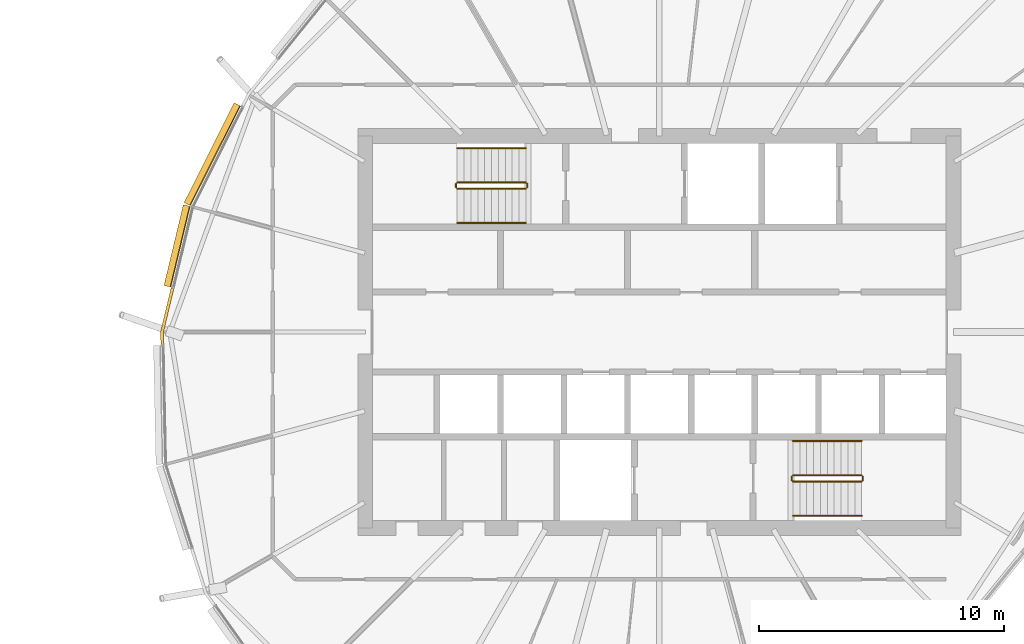
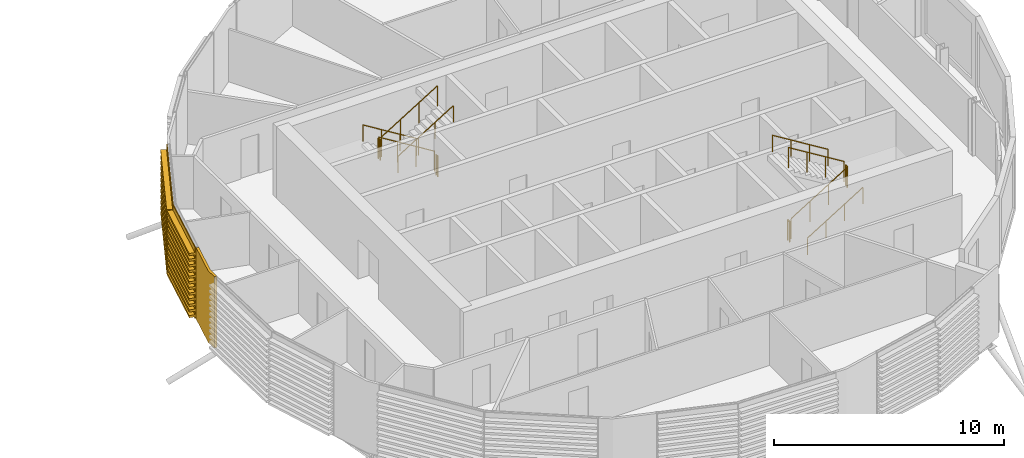
# One storey, part 34 of 35: 12 railings, 3 coverings.
"""IFC4 building model written with IfcOpenShell, lengths in metres."""

import ifcopenshell
import ifcopenshell.guid

model = None  # the IFC model being written
_history = None  # IfcOwnerHistory: only IFC2X3 demands one
_inside = {}  # id of a spatial element -> (the spatial element, [elements in it])
_under = {}  # id of a project, library or spatial element -> (it, [spatial elements below it])
_declared = {}  # id of a project -> (the project, [libraries it declares])
_typed = {}  # id of a type object -> (the type object, [elements of that type])
_made_of = {}  # id of a material, layer set ... -> (it, [elements and type objects made of it])


def new_model(schema):
    """Start an empty IFC model of exactly this schema.

    Asked for "IFC4X3", IfcOpenShell would pick the latest addendum, in which some entities
    have other attributes; the version numbers below select the first issue.
    IFC2X3 requires an IfcOwnerHistory on every rooted entity: one is made here for all.
    """
    global model, _history
    if schema == "IFC4X3":
        model = ifcopenshell.file(schema_version=(4, 3, 0, 0))
    else:
        model = ifcopenshell.file(schema=schema)
    _inside.clear()
    _under.clear()
    _declared.clear()
    _typed.clear()
    _made_of.clear()
    _history = None
    if model.schema == "IFC2X3":
        org = make("IfcOrganization", Name="unknown")
        user = make(
            "IfcPersonAndOrganization",
            ThePerson=make("IfcPerson", FamilyName="unknown"),
            TheOrganization=org,
        )
        app = make(
            "IfcApplication",
            ApplicationDeveloper=org,
            Version="unknown",
            ApplicationFullName="unknown",
            ApplicationIdentifier="unknown",
        )
        _history = make(
            "IfcOwnerHistory",
            OwningUser=user,
            OwningApplication=app,
            ChangeAction="ADDED",
            CreationDate=0,
        )
    return model


def make(cls, **values):
    """One entity of the class cls with the attributes given. An attribute that is None is left unset."""
    return model.create_entity(
        cls, **{name: value for name, value in values.items() if value is not None}
    )


def rooted(cls, **values):
    """An entity with a GlobalId (a new one), such as an element, a storey or a relation."""
    return make(cls, GlobalId=ifcopenshell.guid.new(), OwnerHistory=_history, **values)


def si_unit(unit_type, name, prefix=None):
    """IfcSIUnit, for example si_unit("LENGTHUNIT", "METRE", prefix="MILLI")."""
    return make("IfcSIUnit", UnitType=unit_type, Prefix=prefix, Name=name)


def assignment(units):
    """IfcUnitAssignment: the units of a project."""
    return None if units is None else make("IfcUnitAssignment", Units=units)


def point(xyz):
    """IfcCartesianPoint."""
    return None if xyz is None else make("IfcCartesianPoint", Coordinates=xyz)


def direction(xyz):
    """IfcDirection."""
    return None if xyz is None else make("IfcDirection", DirectionRatios=xyz)


def frame(location, z_axis=None, x_axis=None):
    """IfcAxis2Placement3D, a coordinate frame: its origin and axes. An axis left out is left unset."""
    return make(
        "IfcAxis2Placement3D",
        Location=point(location),
        Axis=direction(z_axis),
        RefDirection=direction(x_axis),
    )


def frame_2d(location, x_axis=None):
    """IfcAxis2Placement2D, a coordinate frame in the plane: its origin and x axis."""
    return make(
        "IfcAxis2Placement2D", Location=point(location), RefDirection=direction(x_axis)
    )


def origin():
    """The frame at (0, 0, 0) with its axes left unset."""
    return frame((0.0, 0.0, 0.0))


def origin_2d():
    """The frame at (0, 0) in the plane with its x axis left unset."""
    return frame_2d((0.0, 0.0))


def place(relative_to, where):
    """IfcLocalPlacement: puts the frame where relative to a parent placement (None: the world)."""
    return make(
        "IfcLocalPlacement", PlacementRelTo=relative_to, RelativePlacement=where
    )


def context(
    kind, dimensions, precision=None, world=None, true_north=None, identifier=None
):
    """IfcGeometricRepresentationContext, for example the 3D "Model" context."""
    return make(
        "IfcGeometricRepresentationContext",
        ContextIdentifier=identifier,
        ContextType=kind,
        CoordinateSpaceDimension=dimensions,
        Precision=precision,
        WorldCoordinateSystem=world,
        TrueNorth=true_north,
    )


def subcontext(parent, identifier, kind, view, scale=None):
    """IfcGeometricRepresentationSubContext, for example "Body" below "Model"."""
    return make(
        "IfcGeometricRepresentationSubContext",
        ContextIdentifier=identifier,
        ContextType=kind,
        ParentContext=parent,
        TargetScale=scale,
        TargetView=view,
    )


def project(units=None, contexts=None):
    """IfcProject with its units and contexts."""
    return rooted(
        "IfcProject",
        Name="project",
        RepresentationContexts=contexts,
        UnitsInContext=assignment(units),
    )


def spatial(cls, under=None, at=None, **own):
    """A site, building, storey or space (cls), placed at a placement, below another one or the project."""
    s = rooted(cls, ObjectPlacement=at, **own)
    if under is not None:
        _under.setdefault(under.id(), (under, []))[1].append(s)
    return s


def polyline(points):
    """IfcPolyline through the points."""
    return make("IfcPolyline", Points=[point(p) for p in points])


def profile(cls, at=None, kind="AREA", **sizes):
    """A parametric profile (cls). Its sizes go by their IFC names, for example OverallWidth=200.0."""
    return make(cls, ProfileType=kind, Position=at, **sizes)


def circle(**sizes):
    """IfcCircleProfileDef."""
    return profile("IfcCircleProfileDef", **sizes)


def outline(outer, holes=None, kind="AREA"):
    """IfcArbitraryClosedProfileDef: a profile drawn as a closed curve; with holes, ...WithVoids."""
    if holes is None:
        return make("IfcArbitraryClosedProfileDef", ProfileType=kind, OuterCurve=outer)
    return make(
        "IfcArbitraryProfileDefWithVoids",
        ProfileType=kind,
        OuterCurve=outer,
        InnerCurves=holes,
    )


def extrude(swept, where, along, depth):
    """IfcExtrudedAreaSolid: the profile swept, set in the frame where, extruded along a direction by depth."""
    return make(
        "IfcExtrudedAreaSolid",
        SweptArea=swept,
        Position=where,
        ExtrudedDirection=direction(along),
        Depth=depth,
    )


def shape(context_of_items, identifier, shape_type, items):
    """IfcShapeRepresentation: the items that make up one representation, for example the "Body"."""
    return make(
        "IfcShapeRepresentation",
        ContextOfItems=context_of_items,
        RepresentationIdentifier=identifier,
        RepresentationType=shape_type,
        Items=items,
    )


def material(Name=None, Category=None):
    """IfcMaterial."""
    return make("IfcMaterial", Name=Name, Category=Category)


def layer(
    of_material, thickness, ventilated=None, Name=None, Category=None, Priority=None
):
    """IfcMaterialLayer: one layer of a wall or slab, of a material (None: an air gap)."""
    return make(
        "IfcMaterialLayer",
        Material=of_material,
        LayerThickness=thickness,
        IsVentilated=ventilated,
        Name=Name,
        Category=Category,
        Priority=Priority,
    )


def layer_set(layers, Name=None):
    """IfcMaterialLayerSet."""
    return make("IfcMaterialLayerSet", MaterialLayers=layers, LayerSetName=Name)


def material_profile(
    of_material, cross_section, Name=None, Category=None, Priority=None
):
    """IfcMaterialProfile: a cross section and its material."""
    return make(
        "IfcMaterialProfile",
        Name=Name,
        Material=of_material,
        Profile=cross_section,
        Priority=Priority,
        Category=Category,
    )


def profile_set(profiles, Name=None, composite=None):
    """IfcMaterialProfileSet."""
    return make(
        "IfcMaterialProfileSet",
        Name=Name,
        MaterialProfiles=profiles,
        CompositeProfile=composite,
    )


def made_of(thing, what):
    """Note that an element or type object is made of a material, layer set ...; save() writes the relation."""
    if what is not None:
        _made_of.setdefault(what.id(), (what, []))[1].append(thing)
    return thing


def type_object(cls, material=None, **own):
    """A type object (cls), such as IfcWallType, which elements share."""
    return made_of(rooted(cls, **own), material)


def element(
    cls,
    number,
    at=None,
    inside=None,
    cuts=None,
    type_object=None,
    material=None,
    context=None,
    identifier="Body",
    shape_type=None,
    held_by="IfcProductDefinitionShape",
    body=None,
    shapes=None,
    **own,
):
    """One element of the class cls, such as IfcWall. Its Tag is "e" and its number.

    at: its placement. inside: the storey or other place that contains it. cuts: it is an
    opening in that element (IfcRelVoidsElement). A single representation is given by context,
    identifier, shape_type and body (its items); several are given by shapes. held_by: the class
    of the entity that holds the representations. save() writes the other relations.
    """
    e = rooted(cls, Tag="e%d" % number, ObjectPlacement=at, **own)
    if body is not None:
        shapes = [shape(context, identifier, shape_type, body)]
    if shapes is not None:
        e.Representation = make(held_by, Representations=shapes)
    if inside is not None:
        _inside.setdefault(inside.id(), (inside, []))[1].append(e)
    if cuts is not None:
        rooted(
            "IfcRelVoidsElement", RelatingBuildingElement=cuts, RelatedOpeningElement=e
        )
    if type_object is not None:
        _typed.setdefault(type_object.id(), (type_object, []))[1].append(e)
    return made_of(e, material)


def aggregate(whole, parts):
    """IfcRelAggregates: a whole, such as a stair, and the parts it consists of."""
    return rooted("IfcRelAggregates", RelatingObject=whole, RelatedObjects=parts)


def save(model, path):
    """Write the relations noted so far, then the file.

    IfcRelAggregates (storeys below a building ...), IfcRelContainedInSpatialStructure (elements
    in a storey), IfcRelDefinesByType, IfcRelAssociatesMaterial and IfcRelDeclares: one each for
    every whole, place, type object, material and project.
    """
    for whole, parts in _under.values():
        aggregate(whole, parts)
    for where, things in _inside.values():
        rooted(
            "IfcRelContainedInSpatialStructure",
            RelatedElements=things,
            RelatingStructure=where,
        )
    for kind, things in _typed.values():
        rooted("IfcRelDefinesByType", RelatedObjects=things, RelatingType=kind)
    for what, things in _made_of.values():
        rooted("IfcRelAssociatesMaterial", RelatedObjects=things, RelatingMaterial=what)
    for by, libraries in _declared.values():
        rooted("IfcRelDeclares", RelatingContext=by, RelatedDefinitions=libraries)
    model.write(path)


model = new_model("IFC4")

# Units and contexts
model_context = context("Model", 3, precision=1e-05, world=origin(), true_north=direction((0.0, 1.0)))
body_context = subcontext(model_context, "Body", "Model", "MODEL_VIEW")
ifc_project = project(units=[si_unit("LENGTHUNIT", "METRE"), si_unit("AREAUNIT", "SQUARE_METRE"), si_unit("VOLUMEUNIT", "CUBIC_METRE"), si_unit("PLANEANGLEUNIT", "RADIAN"), si_unit("MASSUNIT", "GRAM", prefix="KILO")], contexts=[model_context])

# Site, building, storey
site_placement = place(None, origin())
site = spatial("IfcSite", under=ifc_project, at=site_placement, CompositionType="ELEMENT")
building_placement = place(site_placement, origin())
building = spatial("IfcBuilding", under=site, at=building_placement, Name="Rimbun Link Towers", CompositionType="ELEMENT")
storey_placement = place(building_placement, frame((0.0, 0.0, 196.89990234375)))
storey = spatial("IfcBuildingStorey", under=building, at=storey_placement, Name="L48", CompositionType="ELEMENT", Elevation=196.89990234375)

# Covering
ifc_material_1 = material(Name="Terracotta", Category="masonry")
ifc_layer = layer(ifc_material_1, 0.1201171875)
ifc_layer_set = layer_set([ifc_layer], Name="LINK PIER terracotta cladding 120")
covering_type_1 = type_object("IfcCoveringType", Name="LINK PIER terracotta cladding 120", PredefinedType="CLADDING", material=ifc_layer_set)
covering_1_placement = place(storey_placement, origin())
element("IfcCovering", 1, at=covering_1_placement, inside=storey, type_object=covering_type_1, Name="LINK PIER cladding", PredefinedType="CLADDING", context=body_context, shape_type="SweptSolid", body=[
    extrude(outline(polyline([(11.52587890625, -0.519775390625), (11.514892578125, 0.0), (11.938232421875, 1.77001953125), (11.821533203125, 1.798095703125), (11.39453125, 0.012939453125), (11.40576171875, -0.5224609375), (11.52587890625, -0.519775390625)])), origin(), (0.0, 0.0, 1.0), 3.800048828125),
])

# Railings
ifc_material_2 = material(Name="Stainless steel grade 316", Category="steel")
railing_type_1 = type_object("IfcRailingType", Name="Stair guard", PredefinedType="GUARDRAIL", material=ifc_material_2)
railing_1_placement = place(storey_placement, frame((26.300048828125, 6.10009765625, 0.1728515625)))
element("IfcRailing", 2, at=railing_1_placement, inside=storey, type_object=railing_type_1, Name="L48 ST3 stair guard 1", PredefinedType="GUARDRAIL", context=body_context, shape_type="SweptSolid", body=[
    extrude(circle(Radius=0.02392578125, at=origin_2d()), frame((0.0, 0.0, 1.076171875), z_axis=(-0.851089632645, 0.0, 0.525020415988), x_axis=(0.0, -1.0, 0.0)), (0.0, 0.0, 1.0), 3.2900390625),
    extrude(circle(Radius=0.02099609375, at=origin_2d()), origin(), (0.0, 0.0, 1.0), 1.052001953125),
    extrude(circle(Radius=0.02099609375, at=origin_2d()), frame((-0.933349609375, 0.0, 0.57568359375)), (0.0, 0.0, 1.0), 1.052001953125),
    extrude(circle(Radius=0.02099609375, at=origin_2d()), frame((-1.86669921875, 0.0, 1.151611328125)), (0.0, 0.0, 1.0), 1.052001953125),
    extrude(circle(Radius=0.02099609375, at=origin_2d()), frame((-2.800048828125, 0.0, 1.727294921875)), (0.0, 0.0, 1.0), 1.052001953125),
])
railing_2_placement = place(storey_placement, frame((23.449951171875, 6.050048828125, 1.900146484375)))
element("IfcRailing", 3, at=railing_2_placement, inside=storey, type_object=railing_type_1, Name="L48 ST3 stair guard 2", PredefinedType="GUARDRAIL", context=body_context, shape_type="SweptSolid", body=[
    extrude(circle(Radius=0.02392578125, at=origin_2d()), frame((0.0, 0.0, 1.076171875), z_axis=(0.0, -1.0, 0.0), x_axis=(1.0, 0.0, 0.0)), (0.0, 0.0, 1.0), 0.150146484375),
    extrude(circle(Radius=0.02099609375, at=origin_2d()), origin(), (0.0, 0.0, 1.0), 1.052001953125),
    extrude(circle(Radius=0.02099609375, at=origin_2d()), frame((0.0, -0.150146484375, 0.0)), (0.0, 0.0, 1.0), 1.052001953125),
])
railing_3_placement = place(storey_placement, frame((23.5, 5.85009765625, 2.07275390625)))
element("IfcRailing", 4, at=railing_3_placement, inside=storey, type_object=railing_type_1, Name="L48 ST3 stair guard 3", PredefinedType="GUARDRAIL", context=body_context, shape_type="SweptSolid", body=[
    extrude(circle(Radius=0.02392578125, at=origin_2d()), frame((0.0, 0.0, 1.076171875), z_axis=(0.851089632645, 0.0, 0.525020415988), x_axis=(0.0, 1.0, 0.0)), (0.0, 0.0, 1.0), 3.2900390625),
    extrude(circle(Radius=0.02099609375, at=origin_2d()), origin(), (0.0, 0.0, 1.0), 1.052001953125),
    extrude(circle(Radius=0.02099609375, at=origin_2d()), frame((0.933349609375, 0.0, 0.57568359375)), (0.0, 0.0, 1.0), 1.052001953125),
    extrude(circle(Radius=0.02099609375, at=origin_2d()), frame((1.86669921875, 0.0, 1.151611328125)), (0.0, 0.0, 1.0), 1.052001953125),
    extrude(circle(Radius=0.02099609375, at=origin_2d()), frame((2.800048828125, 0.0, 1.727294921875)), (0.0, 0.0, 1.0), 1.052001953125),
])
railing_4_placement = place(storey_placement, frame((26.35009765625, 6.050048828125, 0.0)))
element("IfcRailing", 5, at=railing_4_placement, inside=storey, type_object=railing_type_1, Name="L48 ST3 stair guard 4", PredefinedType="GUARDRAIL", context=body_context, shape_type="SweptSolid", body=[
    extrude(circle(Radius=0.02392578125, at=origin_2d()), frame((0.0, 0.0, 1.076171875), z_axis=(0.0, -1.0, 0.0), x_axis=(1.0, 0.0, 0.0)), (0.0, 0.0, 1.0), 0.150146484375),
    extrude(circle(Radius=0.02099609375, at=origin_2d()), origin(), (0.0, 0.0, 1.0), 1.052001953125),
    extrude(circle(Radius=0.02099609375, at=origin_2d()), frame((0.0, -0.150146484375, 0.0)), (0.0, 0.0, 1.0), 1.052001953125),
])
railing_5_placement = place(storey_placement, frame((37.199951171875, -6.10009765625, 0.1728515625)))
element("IfcRailing", 6, at=railing_5_placement, inside=storey, type_object=railing_type_1, Name="L48 ST4 stair guard 1", PredefinedType="GUARDRAIL", context=body_context, shape_type="SweptSolid", body=[
    extrude(circle(Radius=0.02392578125, at=origin_2d()), frame((0.0, 0.0, 1.076171875), z_axis=(0.851089632645, 0.0, 0.525020415988), x_axis=(0.0, 1.0, 0.0)), (0.0, 0.0, 1.0), 3.2900390625),
    extrude(circle(Radius=0.02099609375, at=origin_2d()), origin(), (0.0, 0.0, 1.0), 1.052001953125),
    extrude(circle(Radius=0.02099609375, at=origin_2d()), frame((0.933349609375, 0.0, 0.57568359375)), (0.0, 0.0, 1.0), 1.052001953125),
    extrude(circle(Radius=0.02099609375, at=origin_2d()), frame((1.86669921875, 0.0, 1.151611328125)), (0.0, 0.0, 1.0), 1.052001953125),
    extrude(circle(Radius=0.02099609375, at=origin_2d()), frame((2.800048828125, 0.0, 1.727294921875)), (0.0, 0.0, 1.0), 1.052001953125),
])
railing_6_placement = place(storey_placement, frame((40.050048828125, -6.050048828125, 1.900146484375)))
element("IfcRailing", 7, at=railing_6_placement, inside=storey, type_object=railing_type_1, Name="L48 ST4 stair guard 2", PredefinedType="GUARDRAIL", context=body_context, shape_type="SweptSolid", body=[
    extrude(circle(Radius=0.02392578125, at=origin_2d()), frame((0.0, 0.0, 1.076171875), z_axis=(0.0, 1.0, 0.0), x_axis=(-1.0, 0.0, 0.0)), (0.0, 0.0, 1.0), 0.150146484375),
    extrude(circle(Radius=0.02099609375, at=origin_2d()), origin(), (0.0, 0.0, 1.0), 1.052001953125),
    extrude(circle(Radius=0.02099609375, at=origin_2d()), frame((0.0, 0.150146484375, 0.0)), (0.0, 0.0, 1.0), 1.052001953125),
])
railing_7_placement = place(storey_placement, frame((40.0, -5.85009765625, 2.07275390625)))
element("IfcRailing", 8, at=railing_7_placement, inside=storey, type_object=railing_type_1, Name="L48 ST4 stair guard 3", PredefinedType="GUARDRAIL", context=body_context, shape_type="SweptSolid", body=[
    extrude(circle(Radius=0.02392578125, at=origin_2d()), frame((0.0, 0.0, 1.076171875), z_axis=(-0.851089632645, 0.0, 0.525020415988), x_axis=(0.0, -1.0, 0.0)), (0.0, 0.0, 1.0), 3.2900390625),
    extrude(circle(Radius=0.02099609375, at=origin_2d()), origin(), (0.0, 0.0, 1.0), 1.052001953125),
    extrude(circle(Radius=0.02099609375, at=origin_2d()), frame((-0.933349609375, 0.0, 0.57568359375)), (0.0, 0.0, 1.0), 1.052001953125),
    extrude(circle(Radius=0.02099609375, at=origin_2d()), frame((-1.86669921875, 0.0, 1.151611328125)), (0.0, 0.0, 1.0), 1.052001953125),
    extrude(circle(Radius=0.02099609375, at=origin_2d()), frame((-2.800048828125, 0.0, 1.727294921875)), (0.0, 0.0, 1.0), 1.052001953125),
])
railing_8_placement = place(storey_placement, frame((37.14990234375, -6.050048828125, 0.0)))
element("IfcRailing", 9, at=railing_8_placement, inside=storey, type_object=railing_type_1, Name="L48 ST4 stair guard 4", PredefinedType="GUARDRAIL", context=body_context, shape_type="SweptSolid", body=[
    extrude(circle(Radius=0.02392578125, at=origin_2d()), frame((0.0, 0.0, 1.076171875), z_axis=(0.0, 1.0, 0.0), x_axis=(-1.0, 0.0, 0.0)), (0.0, 0.0, 1.0), 0.150146484375),
    extrude(circle(Radius=0.02099609375, at=origin_2d()), origin(), (0.0, 0.0, 1.0), 1.052001953125),
    extrude(circle(Radius=0.02099609375, at=origin_2d()), frame((0.0, 0.150146484375, 0.0)), (0.0, 0.0, 1.0), 1.052001953125),
])
ifc_material_3 = material(Name="Stainless steel grade 316", Category="steel")
railing_type_2 = type_object("IfcRailingType", Name="Stair handrail", PredefinedType="HANDRAIL", material=ifc_material_3)
railing_9_placement = place(storey_placement, frame((26.300048828125, 7.5, 0.1728515625)))
element("IfcRailing", 10, at=railing_9_placement, inside=storey, type_object=railing_type_2, Name="L48 ST3 stair handrail 1", PredefinedType="HANDRAIL", context=body_context, shape_type="SweptSolid", body=[
    extrude(circle(Radius=0.02392578125, at=origin_2d()), frame((0.0, 0.0, 0.8759765625), z_axis=(-0.851089632645, 0.0, 0.525020415988), x_axis=(0.0, -1.0, 0.0)), (0.0, 0.0, 1.0), 3.2900390625),
    extrude(circle(Radius=0.02099609375, at=origin_2d()), origin(), (0.0, 0.0, 1.0), 0.851806640625),
    extrude(circle(Radius=0.02099609375, at=origin_2d()), frame((-0.933349609375, 0.0, 0.57568359375)), (0.0, 0.0, 1.0), 0.851806640625),
    extrude(circle(Radius=0.02099609375, at=origin_2d()), frame((-1.86669921875, 0.0, 1.151611328125)), (0.0, 0.0, 1.0), 0.851806640625),
    extrude(circle(Radius=0.02099609375, at=origin_2d()), frame((-2.800048828125, 0.0, 1.727294921875)), (0.0, 0.0, 1.0), 0.851806640625),
])
for number, where, name in (
    (11, (23.5, 4.449951171875, 2.07275390625), "L48 ST3 stair handrail 2"),
    (12, (37.199951171875, -7.5, 0.1728515625), "L48 ST4 stair handrail 1"),
):
    element("IfcRailing", number, at=place(storey_placement, frame(where)), inside=storey, type_object=railing_type_2, Name=name, PredefinedType="HANDRAIL", context=body_context, shape_type="SweptSolid", body=[
        extrude(circle(Radius=0.02392578125, at=origin_2d()), frame((0.0, 0.0, 0.8759765625), z_axis=(0.851089632645, 0.0, 0.525020415988), x_axis=(0.0, 1.0, 0.0)), (0.0, 0.0, 1.0), 3.2900390625),
        extrude(circle(Radius=0.02099609375, at=origin_2d()), origin(), (0.0, 0.0, 1.0), 0.851806640625),
        extrude(circle(Radius=0.02099609375, at=origin_2d()), frame((0.933349609375, 0.0, 0.57568359375)), (0.0, 0.0, 1.0), 0.851806640625),
        extrude(circle(Radius=0.02099609375, at=origin_2d()), frame((1.86669921875, 0.0, 1.151611328125)), (0.0, 0.0, 1.0), 0.851806640625),
        extrude(circle(Radius=0.02099609375, at=origin_2d()), frame((2.800048828125, 0.0, 1.727294921875)), (0.0, 0.0, 1.0), 0.851806640625),
    ])
railing_10_placement = place(storey_placement, frame((40.0, -4.449951171875, 2.07275390625)))
element("IfcRailing", 13, at=railing_10_placement, inside=storey, type_object=railing_type_2, Name="L48 ST4 stair handrail 2", PredefinedType="HANDRAIL", context=body_context, shape_type="SweptSolid", body=[
    extrude(circle(Radius=0.02392578125, at=origin_2d()), frame((0.0, 0.0, 0.8759765625), z_axis=(-0.851089632645, 0.0, 0.525020415988), x_axis=(0.0, -1.0, 0.0)), (0.0, 0.0, 1.0), 3.2900390625),
    extrude(circle(Radius=0.02099609375, at=origin_2d()), origin(), (0.0, 0.0, 1.0), 0.851806640625),
    extrude(circle(Radius=0.02099609375, at=origin_2d()), frame((-0.933349609375, 0.0, 0.57568359375)), (0.0, 0.0, 1.0), 0.851806640625),
    extrude(circle(Radius=0.02099609375, at=origin_2d()), frame((-1.86669921875, 0.0, 1.151611328125)), (0.0, 0.0, 1.0), 0.851806640625),
    extrude(circle(Radius=0.02099609375, at=origin_2d()), frame((-2.800048828125, 0.0, 1.727294921875)), (0.0, 0.0, 1.0), 0.851806640625),
])

# Coverings
ifc_material_4 = material(Name="Terracotta", Category="masonry")
ifc_material_profile = material_profile(ifc_material_4, outline(polyline([(0.123046875, 0.0), (0.1630859375, 0.0), (0.1630859375, 0.10009765625), (0.423095703125, 0.10009765625), (0.423095703125, 0.219970703125), (0.1630859375, 0.219970703125), (0.1630859375, 0.39990234375), (0.423095703125, 0.39990234375), (0.423095703125, 0.52001953125), (0.1630859375, 0.52001953125), (0.1630859375, 0.699951171875), (0.423095703125, 0.699951171875), (0.423095703125, 0.820068359375), (0.1630859375, 0.820068359375), (0.1630859375, 1.0), (0.423095703125, 1.0), (0.423095703125, 1.1201171875), (0.1630859375, 1.1201171875), (0.1630859375, 1.300048828125), (0.423095703125, 1.300048828125), (0.423095703125, 1.419921875), (0.1630859375, 1.419921875), (0.1630859375, 1.60009765625), (0.423095703125, 1.60009765625), (0.423095703125, 1.719970703125), (0.1630859375, 1.719970703125), (0.1630859375, 1.89990234375), (0.423095703125, 1.89990234375), (0.423095703125, 2.02001953125), (0.1630859375, 2.02001953125), (0.1630859375, 2.199951171875), (0.423095703125, 2.199951171875), (0.423095703125, 2.320068359375), (0.1630859375, 2.320068359375), (0.1630859375, 2.5), (0.423095703125, 2.5), (0.423095703125, 2.6201171875), (0.1630859375, 2.6201171875), (0.1630859375, 2.800048828125), (0.423095703125, 2.800048828125), (0.423095703125, 2.919921875), (0.1630859375, 2.919921875), (0.1630859375, 3.10009765625), (0.423095703125, 3.10009765625), (0.423095703125, 3.219970703125), (0.1630859375, 3.219970703125), (0.1630859375, 3.39990234375), (0.423095703125, 3.39990234375), (0.423095703125, 3.52001953125), (0.1630859375, 3.52001953125), (0.1630859375, 3.800048828125), (0.123046875, 3.800048828125), (0.123046875, 0.0)])), Name="BAGUETTE 120X300")
ifc_profile_set = profile_set([ifc_material_profile], Name="Terracotta")
covering_type_2 = type_object("IfcCoveringType", Name="TERRACOTTA BAGUETTE 120X300 H3800", PredefinedType="CLADDING", material=ifc_profile_set)
covering_2_placement = place(storey_placement, frame((12.733642578125, 5.095458984375, 0.0), z_axis=(0.448756854381, 0.893653895894, 0.0), x_axis=(-0.893653895894, 0.448756854381, 0.0)))
element("IfcCovering", 14, at=covering_2_placement, inside=storey, type_object=covering_type_2, Name="TERRACOTTA BAGUETTE", PredefinedType="CLADDING", context=body_context, shape_type="SweptSolid", body=[
    extrude(outline(polyline([(0.123046875, 0.0), (0.1630859375, 0.0), (0.1630859375, 0.10009765625), (0.423095703125, 0.10009765625), (0.423095703125, 0.219970703125), (0.1630859375, 0.219970703125), (0.1630859375, 0.39990234375), (0.423095703125, 0.39990234375), (0.423095703125, 0.52001953125), (0.1630859375, 0.52001953125), (0.1630859375, 0.699951171875), (0.423095703125, 0.699951171875), (0.423095703125, 0.820068359375), (0.1630859375, 0.820068359375), (0.1630859375, 1.0), (0.423095703125, 1.0), (0.423095703125, 1.1201171875), (0.1630859375, 1.1201171875), (0.1630859375, 1.300048828125), (0.423095703125, 1.300048828125), (0.423095703125, 1.419921875), (0.1630859375, 1.419921875), (0.1630859375, 1.60009765625), (0.423095703125, 1.60009765625), (0.423095703125, 1.719970703125), (0.1630859375, 1.719970703125), (0.1630859375, 1.89990234375), (0.423095703125, 1.89990234375), (0.423095703125, 2.02001953125), (0.1630859375, 2.02001953125), (0.1630859375, 2.199951171875), (0.423095703125, 2.199951171875), (0.423095703125, 2.320068359375), (0.1630859375, 2.320068359375), (0.1630859375, 2.5), (0.423095703125, 2.5), (0.423095703125, 2.6201171875), (0.1630859375, 2.6201171875), (0.1630859375, 2.800048828125), (0.423095703125, 2.800048828125), (0.423095703125, 2.919921875), (0.1630859375, 2.919921875), (0.1630859375, 3.10009765625), (0.423095703125, 3.10009765625), (0.423095703125, 3.219970703125), (0.1630859375, 3.219970703125), (0.1630859375, 3.39990234375), (0.423095703125, 3.39990234375), (0.423095703125, 3.52001953125), (0.1630859375, 3.52001953125), (0.1630859375, 3.800048828125), (0.123046875, 3.800048828125), (0.123046875, 0.0)])), origin(), (0.0, 0.0, 1.0), 4.55419921875),
])
covering_3_placement = place(storey_placement, frame((11.9453125, 1.79931640625, 0.0), z_axis=(0.2326072833, 0.972570743831, 0.0), x_axis=(-0.972570743831, 0.2326072833, 0.0)))
element("IfcCovering", 15, at=covering_3_placement, inside=storey, type_object=covering_type_2, Name="TERRACOTTA BAGUETTE", PredefinedType="CLADDING", context=body_context, shape_type="SweptSolid", body=[
    extrude(outline(polyline([(0.123046875, 0.0), (0.1630859375, 0.0), (0.1630859375, 0.10009765625), (0.423095703125, 0.10009765625), (0.423095703125, 0.219970703125), (0.1630859375, 0.219970703125), (0.1630859375, 0.39990234375), (0.423095703125, 0.39990234375), (0.423095703125, 0.52001953125), (0.1630859375, 0.52001953125), (0.1630859375, 0.699951171875), (0.423095703125, 0.699951171875), (0.423095703125, 0.820068359375), (0.1630859375, 0.820068359375), (0.1630859375, 1.0), (0.423095703125, 1.0), (0.423095703125, 1.1201171875), (0.1630859375, 1.1201171875), (0.1630859375, 1.300048828125), (0.423095703125, 1.300048828125), (0.423095703125, 1.419921875), (0.1630859375, 1.419921875), (0.1630859375, 1.60009765625), (0.423095703125, 1.60009765625), (0.423095703125, 1.719970703125), (0.1630859375, 1.719970703125), (0.1630859375, 1.89990234375), (0.423095703125, 1.89990234375), (0.423095703125, 2.02001953125), (0.1630859375, 2.02001953125), (0.1630859375, 2.199951171875), (0.423095703125, 2.199951171875), (0.423095703125, 2.320068359375), (0.1630859375, 2.320068359375), (0.1630859375, 2.5), (0.423095703125, 2.5), (0.423095703125, 2.6201171875), (0.1630859375, 2.6201171875), (0.1630859375, 2.800048828125), (0.423095703125, 2.800048828125), (0.423095703125, 2.919921875), (0.1630859375, 2.919921875), (0.1630859375, 3.10009765625), (0.423095703125, 3.10009765625), (0.423095703125, 3.219970703125), (0.1630859375, 3.219970703125), (0.1630859375, 3.39990234375), (0.423095703125, 3.39990234375), (0.423095703125, 3.52001953125), (0.1630859375, 3.52001953125), (0.1630859375, 3.800048828125), (0.123046875, 3.800048828125), (0.123046875, 0.0)])), origin(), (0.0, 0.0, 1.0), 3.38916015625),
])

save(model, "model.ifc")
